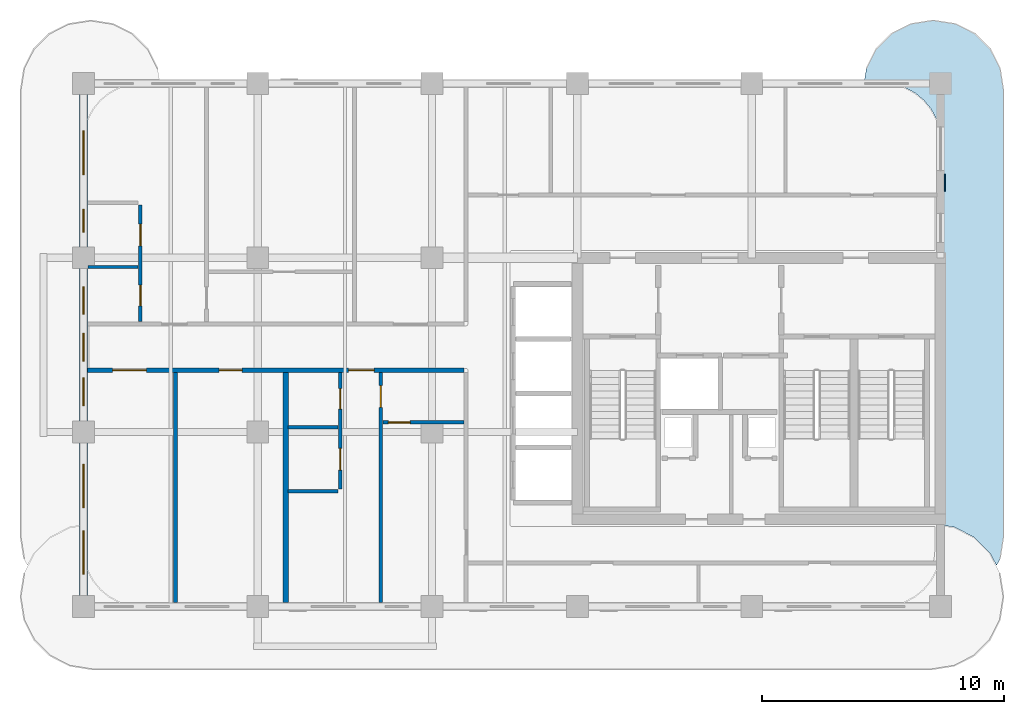
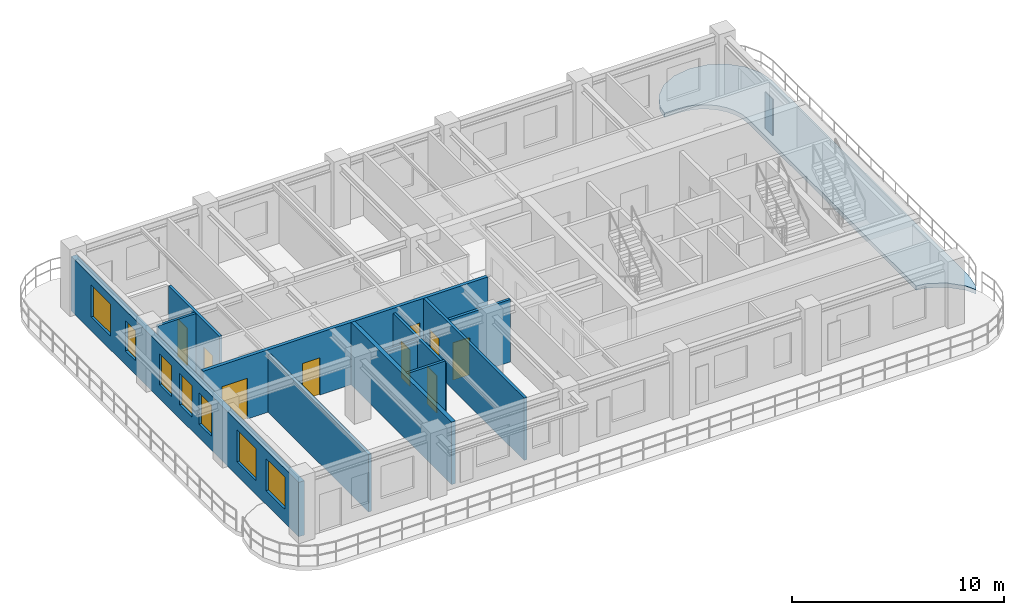
# One storey, part 2 of 8: 11 walls, 9 doors, 7 windows, 1 plate, 1 slab, 16 openings.
"""IFC4 building model written with IfcOpenShell, lengths in metres."""

from ifc_helpers import new_model, si_unit, derived_unit, direction, frame, frame_2d, origin, origin_2d, place, context, subcontext, project, spatial, polyline, rectangle, outline, extrude, source, transform, mapped, material, layer, layer_set, type_object, type_shapes, element, fill, save


model = new_model("IFC4")

# Units and contexts
model_context = context("Model", 3, precision=1e-05, world=origin(), true_north=direction((0.0, 1.0)))
body_context = subcontext(model_context, "Body", "Model", "MODEL_VIEW")
ifc_project = project(units=[si_unit("LENGTHUNIT", "METRE"), si_unit("AREAUNIT", "SQUARE_METRE"), si_unit("VOLUMEUNIT", "CUBIC_METRE"), si_unit("PLANEANGLEUNIT", "RADIAN"), si_unit("MASSUNIT", "GRAM", prefix="KILO"), si_unit("THERMODYNAMICTEMPERATUREUNIT", "KELVIN"), si_unit("POWERUNIT", "WATT"), derived_unit("THERMALTRANSMITTANCEUNIT", [(si_unit("POWERUNIT", "WATT"), 1), (si_unit("AREAUNIT", "SQUARE_METRE"), -1), (si_unit("THERMODYNAMICTEMPERATUREUNIT", "KELVIN"), -1)])], contexts=[model_context])

# Site, building, storey
site_placement = place(None, origin())
site = spatial("IfcSite", under=ifc_project, at=site_placement, CompositionType="ELEMENT")
building_placement = place(site_placement, origin())
building = spatial("IfcBuilding", under=site, at=building_placement, Name="Zahravan Archway Hotel and Residences", CompositionType="ELEMENT")
storey_placement = place(building_placement, frame((0.0, 0.0, 225.0)))
storey = spatial("IfcBuildingStorey", under=building, at=storey_placement, Name="L56", CompositionType="ELEMENT", Elevation=225.0)

# Slab
ifc_material_1 = material(Name="Concrete C45/55", Category="concrete")
ifc_layer_1 = layer(ifc_material_1, 0.25, Name="Concrete C45/55", Category="concrete")
ifc_layer_set_1 = layer_set([ifc_layer_1], Name="Concrete C45/55")
slab_type = type_object("IfcSlabType", Name="SLB-BALC-250", PredefinedType="FLOOR", material=ifc_layer_set_1)
slab_placement = place(storey_placement, frame((0.0, 0.0, -0.25)))
element("IfcSlab", 1, at=slab_placement, inside=storey, type_object=slab_type, Name="L56 Wing A East Rounded Balcony Band", PredefinedType="FLOOR", context=body_context, shape_type="SweptSolid", body=[
    extrude(outline(polyline([(46.739501953125, 22.230712890625), (47.144287109375, 23.025146484375), (47.77490234375, 23.65576171875), (48.5693359375, 24.060546875), (49.449951171875, 24.199951171875), (49.550048828125, 24.199951171875), (50.4306640625, 24.060546875), (51.22509765625, 23.65576171875), (51.855712890625, 23.025146484375), (52.260498046875, 22.230712890625), (52.39990234375, 21.35009765625), (52.39990234375, 2.85009765625), (52.260498046875, 1.96923828125), (52.114501953125, 1.6826171875), (51.8544921875, 2.193115234375), (51.853515625, 2.19482421875), (51.85205078125, 2.196533203125), (51.8505859375, 2.197998046875), (51.197998046875, 2.8505859375), (51.196533203125, 2.85205078125), (51.19482421875, 2.853515625), (51.193115234375, 2.8544921875), (50.37060546875, 3.2734375), (50.368896484375, 3.2744140625), (50.36669921875, 3.27490234375), (50.36474609375, 3.275390625), (49.822998046875, 3.361083984375), (49.8212890625, 3.361328125), (49.820068359375, 3.361328125), (49.820068359375, 19.199951171875), (49.81982421875, 19.201904296875), (49.773681640625, 19.670166015625), (49.7734375, 19.672119140625), (49.77294921875, 19.674072265625), (49.636474609375, 20.124267578125), (49.6357421875, 20.126220703125), (49.635009765625, 20.127685546875), (49.4130859375, 20.542724609375), (49.412109375, 20.54443359375), (49.410888671875, 20.546142578125), (49.112548828125, 20.909912109375), (49.111083984375, 20.9111328125), (49.10986328125, 20.91259765625), (48.74609375, 21.2109375), (48.744384765625, 21.212158203125), (48.742919921875, 21.213134765625), (48.327880859375, 21.434814453125), (48.326171875, 21.435791015625), (48.32421875, 21.436279296875), (47.8740234375, 21.572998046875), (47.8720703125, 21.573486328125), (47.8701171875, 21.57373046875), (47.402099609375, 21.619873046875), (47.39990234375, 21.6201171875), (46.642822265625, 21.6201171875), (46.739501953125, 22.230712890625)])), origin(), (0.0, 0.0, 1.0), 0.25),
])

# Plate
ifc_material_2 = material(Name="Perforated Cast Bronze Jali Lattice")
ifc_layer_2 = layer(ifc_material_2, 0.044921875, Name="Perforated Cast Bronze Jali Lattice")
ifc_layer_set_2 = layer_set([ifc_layer_2], Name="Perforated Cast Bronze Jali Lattice")
plate_type = type_object("IfcPlateType", Name="PLT-JALI-BAY", PredefinedType="USERDEFINED", material=ifc_layer_set_2)
shared_shape_1 = source(origin(), body_context, "Body", "SweptSolid", [
    extrude(rectangle(XDim=0.699951171875, YDim=0.044921875, at=origin_2d()), origin(), (0.0, 0.0, 1.0), 2.10009765625),
])
type_shapes(plate_type, [shared_shape_1])
plate_placement = place(storey_placement, frame((49.97802734375, 17.509033203125, 0.25), z_axis=(0.0, 0.0, 1.0), x_axis=(0.0, 1.0, 0.0)))
element("IfcPlate", 2, at=plate_placement, inside=storey, type_object=plate_type, Name="L56 Perforated Bronze Jali Pier Screen 05", ObjectType="SCREEN", PredefinedType="USERDEFINED", context=body_context, shape_type="MappedRepresentation", body=[
    mapped(shared_shape_1, transform((0.0, 0.0, 0.0), scale=1.0)),
])

# Wall, openings, windows
ifc_material_3 = material(Name="Agra Buff Sandstone & Insulated Backup", Category="masonry")
ifc_layer_3 = layer(ifc_material_3, 0.320068359375, Name="Agra Buff Sandstone & Insulated Backup", Category="masonry")
ifc_layer_set_3 = layer_set([ifc_layer_3], Name="Agra Buff Sandstone & Insulated Backup")
wall_type_1 = type_object("IfcWallType", Name="EW-SAND-320", PredefinedType="SOLIDWALL", material=ifc_layer_set_3)
wall_1_placement = place(storey_placement, frame((14.39990234375, 0.050048828125, 0.0), z_axis=(0.0, 0.0, 1.0), x_axis=(0.0, 1.0, 0.0)))
wall_1 = element("IfcWall", 3, at=wall_1_placement, inside=storey, type_object=wall_type_1, Name="L56 Exterior Sandstone Wall WA-W", PredefinedType="SOLIDWALL", context=body_context, shape_type="SweptSolid", body=[
    extrude(rectangle(XDim=21.5, YDim=0.320068359375, at=frame_2d((10.75, 0.0))), origin(), (0.0, 0.0, 1.0), 3.135009765625),
])
opening_1_placement = place(wall_1_placement, frame((1.27490234375, 0.0, 0.800048828125)))
opening_1 = element("IfcOpeningElement", 4, at=opening_1_placement, cuts=wall_1, Name="Opening W-02", PredefinedType="OPENING", context=body_context, shape_type="SweptSolid", body=[
    extrude(rectangle(XDim=1.800048828125, YDim=1.85009765625, at=frame_2d((0.89990234375, 0.925048828125))), frame((0.0, 0.169921875, 0.0), z_axis=(0.0, -1.0, 0.0), x_axis=(1.0, 0.0, 0.0)), (0.0, 0.0, 1.0), 0.340087890625),
])
opening_2_placement = place(wall_1_placement, frame((4.02490234375, 0.0, 0.800048828125)))
opening_2 = element("IfcOpeningElement", 5, at=opening_2_placement, cuts=wall_1, Name="Opening W-02", PredefinedType="OPENING", context=body_context, shape_type="SweptSolid", body=[
    extrude(rectangle(XDim=1.800048828125, YDim=1.85009765625, at=frame_2d((0.89990234375, 0.925048828125))), frame((0.0, 0.169921875, 0.0), z_axis=(0.0, -1.0, 0.0), x_axis=(1.0, 0.0, 0.0)), (0.0, 0.0, 1.0), 0.340087890625),
])
opening_3_placement = place(wall_1_placement, frame((8.24609375, 0.0, 0.800048828125)))
opening_3 = element("IfcOpeningElement", 6, at=opening_3_placement, cuts=wall_1, Name="Opening W-05", PredefinedType="OPENING", context=body_context, shape_type="SweptSolid", body=[
    extrude(rectangle(XDim=1.14990234375, YDim=1.800048828125, at=frame_2d((0.574951171875, 0.89990234375))), frame((0.0, 0.169921875, 0.0), z_axis=(0.0, -1.0, 0.0), x_axis=(1.0, 0.0, 0.0)), (0.0, 0.0, 1.0), 0.340087890625),
])
opening_4_placement = place(wall_1_placement, frame((10.0849609375, 0.0, 0.800048828125)))
opening_4 = element("IfcOpeningElement", 7, at=opening_4_placement, cuts=wall_1, Name="Opening W-05", PredefinedType="OPENING", context=body_context, shape_type="SweptSolid", body=[
    extrude(rectangle(XDim=1.14990234375, YDim=1.800048828125, at=frame_2d((0.574951171875, 0.89990234375))), frame((0.0, 0.169921875, 0.0), z_axis=(0.0, -1.0, 0.0), x_axis=(1.0, 0.0, 0.0)), (0.0, 0.0, 1.0), 0.340087890625),
])
opening_5_placement = place(wall_1_placement, frame((12.013916015625, 0.0, 0.800048828125)))
opening_5 = element("IfcOpeningElement", 8, at=opening_5_placement, cuts=wall_1, Name="Opening W-05", PredefinedType="OPENING", context=body_context, shape_type="SweptSolid", body=[
    extrude(rectangle(XDim=1.14990234375, YDim=1.800048828125, at=frame_2d((0.574951171875, 0.89990234375))), frame((0.0, 0.169921875, 0.0), z_axis=(0.0, -1.0, 0.0), x_axis=(1.0, 0.0, 0.0)), (0.0, 0.0, 1.0), 0.340087890625),
])
opening_6_placement = place(wall_1_placement, frame((15.406005859375, 0.0, 0.800048828125)))
opening_6 = element("IfcOpeningElement", 9, at=opening_6_placement, cuts=wall_1, Name="Opening W-04", PredefinedType="OPENING", context=body_context, shape_type="SweptSolid", body=[
    extrude(rectangle(XDim=0.949951171875, YDim=1.75, at=frame_2d((0.47509765625, 0.875))), frame((0.0, 0.169921875, 0.0), z_axis=(0.0, -1.0, 0.0), x_axis=(1.0, 0.0, 0.0)), (0.0, 0.0, 1.0), 0.340087890625),
])
opening_7_placement = place(wall_1_placement, frame((17.7890625, 0.0, 0.800048828125)))
opening_7 = element("IfcOpeningElement", 10, at=opening_7_placement, cuts=wall_1, Name="Opening W-02", PredefinedType="OPENING", context=body_context, shape_type="SweptSolid", body=[
    extrude(rectangle(XDim=1.800048828125, YDim=1.85009765625, at=frame_2d((0.89990234375, 0.925048828125))), frame((0.0, 0.169921875, 0.0), z_axis=(0.0, -1.0, 0.0), x_axis=(1.0, 0.0, 0.0)), (0.0, 0.0, 1.0), 0.340087890625),
])
ifc_material_4 = material(Name="Bronze-Anodized Thermal-Break Aluminium & Low-E Glass", Category="aluminium")
window_type_1 = type_object("IfcWindowType", Name="WIN-NAR-950", PartitioningType="SINGLE_PANEL", PredefinedType="WINDOW", material=ifc_material_4)
shared_shape_2 = source(origin(), body_context, "Body", "SweptSolid", [
    extrude(rectangle(XDim=0.949951171875, YDim=1.75, at=frame_2d((0.47509765625, 0.875))), frame((0.0, 0.030029296875, 0.0), z_axis=(0.0, -1.0, 0.0), x_axis=(1.0, 0.0, 0.0)), (0.0, 0.0, 1.0), 0.06005859375),
])
type_shapes(window_type_1, [shared_shape_2])
window_1_placement = place(opening_6_placement, origin())
window_1 = element("IfcWindow", 11, at=window_1_placement, inside=storey, type_object=window_type_1, Name="L56 Loggia Window 25", OverallHeight=1.75, OverallWidth=0.949951171875, PartitioningType="SINGLE_PANEL", PredefinedType="WINDOW", context=body_context, shape_type="MappedRepresentation", body=[
    mapped(shared_shape_2, transform((0.0, 0.0, 0.0), scale=1.0)),
])
fill(opening_6, window_1)
window_type_2 = type_object("IfcWindowType", Name="WIN-TWR-1800", PartitioningType="DOUBLE_PANEL_VERTICAL", PredefinedType="WINDOW", material=ifc_material_4)
shared_shape_3 = source(origin(), body_context, "Body", "SweptSolid", [
    extrude(rectangle(XDim=1.800048828125, YDim=1.85009765625, at=frame_2d((0.89990234375, 0.925048828125))), frame((0.0, 0.030029296875, 0.0), z_axis=(0.0, -1.0, 0.0), x_axis=(1.0, 0.0, 0.0)), (0.0, 0.0, 1.0), 0.06005859375),
])
type_shapes(window_type_2, [shared_shape_3])
window_2_placement = place(opening_1_placement, origin())
window_2 = element("IfcWindow", 12, at=window_2_placement, inside=storey, type_object=window_type_2, Name="L56 Loggia Window 20", OverallHeight=1.85009765625, OverallWidth=1.800048828125, PartitioningType="DOUBLE_PANEL_VERTICAL", PredefinedType="WINDOW", context=body_context, shape_type="MappedRepresentation", body=[
    mapped(shared_shape_3, transform((0.0, 0.0, 0.0), scale=1.0)),
])
fill(opening_1, window_2)
window_3_placement = place(opening_2_placement, origin())
window_3 = element("IfcWindow", 13, at=window_3_placement, inside=storey, type_object=window_type_2, Name="L56 Loggia Window 21", OverallHeight=1.85009765625, OverallWidth=1.800048828125, PartitioningType="DOUBLE_PANEL_VERTICAL", PredefinedType="WINDOW", context=body_context, shape_type="MappedRepresentation", body=[
    mapped(shared_shape_3, transform((0.0, 0.0, 0.0), scale=1.0)),
])
fill(opening_2, window_3)
window_4_placement = place(opening_7_placement, origin())
window_4 = element("IfcWindow", 14, at=window_4_placement, inside=storey, type_object=window_type_2, Name="L56 Loggia Window 26", OverallHeight=1.85009765625, OverallWidth=1.800048828125, PartitioningType="DOUBLE_PANEL_VERTICAL", PredefinedType="WINDOW", context=body_context, shape_type="MappedRepresentation", body=[
    mapped(shared_shape_3, transform((0.0, 0.0, 0.0), scale=1.0)),
])
fill(opening_7, window_4)
window_type_3 = type_object("IfcWindowType", Name="WIN-TWR-1150", PartitioningType="SINGLE_PANEL", PredefinedType="WINDOW", material=ifc_material_4)
shared_shape_4 = source(origin(), body_context, "Body", "SweptSolid", [
    extrude(rectangle(XDim=1.14990234375, YDim=1.800048828125, at=frame_2d((0.574951171875, 0.89990234375))), frame((0.0, 0.030029296875, 0.0), z_axis=(0.0, -1.0, 0.0), x_axis=(1.0, 0.0, 0.0)), (0.0, 0.0, 1.0), 0.06005859375),
])
type_shapes(window_type_3, [shared_shape_4])
window_5_placement = place(opening_3_placement, origin())
window_5 = element("IfcWindow", 15, at=window_5_placement, inside=storey, type_object=window_type_3, Name="L56 Loggia Window 22", OverallHeight=1.800048828125, OverallWidth=1.14990234375, PartitioningType="SINGLE_PANEL", PredefinedType="WINDOW", context=body_context, shape_type="MappedRepresentation", body=[
    mapped(shared_shape_4, transform((0.0, 0.0, 0.0), scale=1.0)),
])
fill(opening_3, window_5)
window_6_placement = place(opening_4_placement, origin())
window_6 = element("IfcWindow", 16, at=window_6_placement, inside=storey, type_object=window_type_3, Name="L56 Loggia Window 23", OverallHeight=1.800048828125, OverallWidth=1.14990234375, PartitioningType="SINGLE_PANEL", PredefinedType="WINDOW", context=body_context, shape_type="MappedRepresentation", body=[
    mapped(shared_shape_4, transform((0.0, 0.0, 0.0), scale=1.0)),
])
fill(opening_4, window_6)
window_7_placement = place(opening_5_placement, origin())
window_7 = element("IfcWindow", 17, at=window_7_placement, inside=storey, type_object=window_type_3, Name="L56 Loggia Window 24", OverallHeight=1.800048828125, OverallWidth=1.14990234375, PartitioningType="SINGLE_PANEL", PredefinedType="WINDOW", context=body_context, shape_type="MappedRepresentation", body=[
    mapped(shared_shape_4, transform((0.0, 0.0, 0.0), scale=1.0)),
])
fill(opening_5, window_7)

# Wall
ifc_material_5 = material(Name="Fire-Rated Gypsum & Concrete Block", Category="concrete")
ifc_layer_4 = layer(ifc_material_5, 0.219970703125, Name="Fire-Rated Gypsum & Concrete Block", Category="concrete")
ifc_layer_set_4 = layer_set([ifc_layer_4], Name="Fire-Rated Gypsum & Concrete Block")
wall_type_2 = type_object("IfcWallType", Name="PW-COMP-220", PredefinedType="PARTITIONING", material=ifc_layer_set_4)
wall_2_placement = place(storey_placement, frame((22.75, 0.16796875, 0.0), z_axis=(0.0, 0.0, 1.0), x_axis=(0.0, 1.0, 0.0)))
element("IfcWall", 18, at=wall_2_placement, inside=storey, type_object=wall_type_2, Name="L56 Partition WAS-R2B", PredefinedType="PARTITIONING", context=body_context, shape_type="SweptSolid", body=[
    extrude(rectangle(XDim=9.491943359375, YDim=0.219970703125, at=frame_2d((4.74609375, 0.0))), origin(), (0.0, 0.0, 1.0), 3.60009765625),
])

# Wall, openings, doors
ifc_layer_5 = layer(ifc_material_5, 0.179931640625, Name="Fire-Rated Gypsum & Concrete Block", Category="concrete")
ifc_layer_set_5 = layer_set([ifc_layer_5], Name="Fire-Rated Gypsum & Concrete Block")
wall_type_3 = type_object("IfcWallType", Name="PW-CORR-180", PredefinedType="PARTITIONING", material=ifc_layer_set_5)
wall_3_placement = place(storey_placement, frame((14.568115234375, 9.75, 0.0), z_axis=(0.0, 0.0, 1.0), x_axis=(1.0, 0.0, 0.0)))
wall_3 = element("IfcWall", 19, at=wall_3_placement, inside=storey, type_object=wall_type_3, Name="L56 Partition WA-CS", PredefinedType="PARTITIONING", context=body_context, shape_type="SweptSolid", body=[
    extrude(rectangle(XDim=15.5419921875, YDim=0.179931640625, at=frame_2d((7.77099609375, 0.0))), origin(), (0.0, 0.0, 1.0), 3.60009765625),
])
opening_8_placement = place(wall_3_placement, frame((1.031982421875, 0.0, 0.0)))
opening_8 = element("IfcOpeningElement", 20, at=opening_8_placement, cuts=wall_3, Name="Opening D-P1", PredefinedType="OPENING", context=body_context, shape_type="SweptSolid", body=[
    extrude(rectangle(XDim=1.39990234375, YDim=2.35009765625, at=frame_2d((0.699951171875, 1.175048828125))), frame((0.0, 0.10009765625, 0.0), z_axis=(0.0, -1.0, 0.0), x_axis=(1.0, 0.0, 0.0)), (0.0, 0.0, 1.0), 0.199951171875),
])
opening_9_placement = place(wall_3_placement, frame((5.431884765625, 0.0, 0.0)))
opening_9 = element("IfcOpeningElement", 21, at=opening_9_placement, cuts=wall_3, Name="Opening D-I1", PredefinedType="OPENING", context=body_context, shape_type="SweptSolid", body=[
    extrude(rectangle(XDim=0.949951171875, YDim=2.14990234375, at=frame_2d((0.47509765625, 1.074951171875))), frame((0.0, 0.10009765625, 0.0), z_axis=(0.0, -1.0, 0.0), x_axis=(1.0, 0.0, 0.0)), (0.0, 0.0, 1.0), 0.199951171875),
])
opening_10_placement = place(wall_3_placement, frame((10.787109375, 0.0, 0.0)))
opening_10 = element("IfcOpeningElement", 22, at=opening_10_placement, cuts=wall_3, Name="Opening D-U1", PredefinedType="OPENING", context=body_context, shape_type="SweptSolid", body=[
    extrude(rectangle(XDim=1.050048828125, YDim=2.25, at=frame_2d((0.52490234375, 1.125))), frame((0.0, 0.10009765625, 0.0), z_axis=(0.0, -1.0, 0.0), x_axis=(1.0, 0.0, 0.0)), (0.0, 0.0, 1.0), 0.199951171875),
])
ifc_material_6 = material(Name="Bronze-Anodized Glazed Aluminium", Category="aluminium")
door_type_1 = type_object("IfcDoorType", Name="ID-PUBLIC-1400", OperationType="DOUBLE_DOOR_SINGLE_SWING", PredefinedType="DOOR", material=ifc_material_6)
shared_shape_5 = source(origin(), body_context, "Body", "SweptSolid", [
    extrude(rectangle(XDim=1.39990234375, YDim=2.35009765625, at=frame_2d((0.699951171875, 1.175048828125))), frame((0.0, 0.02490234375, 0.0), z_axis=(0.0, -1.0, 0.0), x_axis=(1.0, 0.0, 0.0)), (0.0, 0.0, 1.0), 0.050048828125),
])
type_shapes(door_type_1, [shared_shape_5])
door_1_placement = place(opening_8_placement, origin())
door_1 = element("IfcDoor", 23, at=door_1_placement, inside=storey, type_object=door_type_1, Name="L56 Cinema Salon Door", OperationType="DOUBLE_DOOR_SINGLE_SWING", OverallHeight=2.35009765625, OverallWidth=1.39990234375, PredefinedType="DOOR", context=body_context, shape_type="MappedRepresentation", body=[
    mapped(shared_shape_5, transform((0.0, 0.0, 0.0), scale=1.0)),
])
fill(opening_8, door_1)
ifc_material_7 = material(Name="Hardwood Veneer Timber", Category="wood")
door_type_2 = type_object("IfcDoorType", Name="ID-INT-950", OperationType="NOTDEFINED", PredefinedType="DOOR", material=ifc_material_7)
shared_shape_6 = source(origin(), body_context, "Body", "SweptSolid", [
    extrude(rectangle(XDim=0.949951171875, YDim=2.14990234375, at=frame_2d((0.47509765625, 1.074951171875))), frame((0.0, 0.02490234375, 0.0), z_axis=(0.0, -1.0, 0.0), x_axis=(1.0, 0.0, 0.0)), (0.0, 0.0, 1.0), 0.050048828125),
])
type_shapes(door_type_2, [shared_shape_6])
door_2_placement = place(opening_9_placement, origin())
door_2 = element("IfcDoor", 24, at=door_2_placement, inside=storey, type_object=door_type_2, Name="L56 Study Office Door", OperationType="SINGLE_SWING_LEFT", OverallHeight=2.14990234375, OverallWidth=0.949951171875, PredefinedType="DOOR", context=body_context, shape_type="MappedRepresentation", body=[
    mapped(shared_shape_6, transform((0.0, 0.0, 0.0), scale=1.0)),
])
fill(opening_9, door_2)
door_type_3 = type_object("IfcDoorType", Name="ID-UNIT-1050", OperationType="NOTDEFINED", PredefinedType="DOOR", material=ifc_material_7)
shared_shape_7 = source(origin(), body_context, "Body", "SweptSolid", [
    extrude(rectangle(XDim=1.050048828125, YDim=2.25, at=frame_2d((0.52490234375, 1.125))), frame((0.0, 0.02490234375, 0.0), z_axis=(0.0, -1.0, 0.0), x_axis=(1.0, 0.0, 0.0)), (0.0, 0.0, 1.0), 0.050048828125),
])
type_shapes(door_type_3, [shared_shape_7])
door_3_placement = place(opening_10_placement, origin())
door_3 = element("IfcDoor", 25, at=door_3_placement, inside=storey, type_object=door_type_3, Name="L56 Flat S1 Entrance Door", OperationType="SINGLE_SWING_RIGHT", OverallHeight=2.25, OverallWidth=1.050048828125, PredefinedType="DOOR", context=body_context, shape_type="MappedRepresentation", body=[
    mapped(shared_shape_7, transform((0.0, 0.0, 0.0), scale=1.0)),
])
fill(opening_10, door_3)

# Wall, opening, door
ifc_material_8 = material(Name="Acoustic Stud Partition")
ifc_layer_6 = layer(ifc_material_8, 0.14990234375, Name="Acoustic Stud Partition")
ifc_layer_set_6 = layer_set([ifc_layer_6], Name="Acoustic Stud Partition")
wall_type_4 = type_object("IfcWallType", Name="PW-UNIT-150", PredefinedType="PARTITIONING", material=ifc_layer_set_6)
wall_4_placement = place(storey_placement, frame((26.679931640625, 0.16796875, 0.0), z_axis=(0.0, 0.0, 1.0), x_axis=(0.0, 1.0, 0.0)))
wall_4 = element("IfcWall", 26, at=wall_4_placement, inside=storey, type_object=wall_type_4, Name="L56 Partition FL-S1-SP", PredefinedType="PARTITIONING", context=body_context, shape_type="SweptSolid", body=[
    extrude(rectangle(XDim=9.491943359375, YDim=0.14990234375, at=frame_2d((4.74609375, 0.0))), origin(), (0.0, 0.0, 1.0), 3.60009765625),
])
opening_11_placement = place(wall_4_placement, frame((8.056884765625, 0.0, 0.0)))
opening_11 = element("IfcOpeningElement", 27, at=opening_11_placement, cuts=wall_4, Name="Opening D-I2", PredefinedType="OPENING", context=body_context, shape_type="SweptSolid", body=[
    extrude(rectangle(XDim=0.89990234375, YDim=2.14990234375, at=frame_2d((0.449951171875, 1.074951171875))), frame((0.0, 0.0849609375, 0.0), z_axis=(0.0, -1.0, 0.0), x_axis=(1.0, 0.0, 0.0)), (0.0, 0.0, 1.0), 0.169921875),
])
door_type_4 = type_object("IfcDoorType", Name="ID-INT-900", OperationType="NOTDEFINED", PredefinedType="DOOR", material=ifc_material_7)
shared_shape_8 = source(origin(), body_context, "Body", "SweptSolid", [
    extrude(rectangle(XDim=0.89990234375, YDim=2.14990234375, at=frame_2d((0.449951171875, 1.074951171875))), frame((0.0, 0.02490234375, 0.0), z_axis=(0.0, -1.0, 0.0), x_axis=(1.0, 0.0, 0.0)), (0.0, 0.0, 1.0), 0.050048828125),
])
type_shapes(door_type_4, [shared_shape_8])
door_4_placement = place(opening_11_placement, origin())
door_4 = element("IfcDoor", 28, at=door_4_placement, inside=storey, type_object=door_type_4, Name="L56 Flat S1 Bedroom Hall Door", OperationType="SINGLE_SWING_LEFT", OverallHeight=2.14990234375, OverallWidth=0.89990234375, PredefinedType="DOOR", context=body_context, shape_type="MappedRepresentation", body=[
    mapped(shared_shape_8, transform((0.0, 0.0, 0.0), scale=1.0)),
])
fill(opening_11, door_4)

wall_5_placement = place(storey_placement, frame((26.77001953125, 7.60009765625, 0.0), z_axis=(0.0, 0.0, 1.0), x_axis=(1.0, 0.0, 0.0)))
wall_5 = element("IfcWall", 29, at=wall_5_placement, inside=storey, type_object=wall_type_4, Name="L56 Partition FL-S1-GH", PredefinedType="PARTITIONING", context=body_context, shape_type="SweptSolid", body=[
    extrude(rectangle(XDim=3.340087890625, YDim=0.14990234375, at=frame_2d((1.669921875, 0.0))), origin(), (0.0, 0.0, 1.0), 3.60009765625),
])
opening_12_placement = place(wall_5_placement, frame((0.22509765625, 0.0, 0.0)))
opening_12 = element("IfcOpeningElement", 30, at=opening_12_placement, cuts=wall_5, Name="Opening D-I2", PredefinedType="OPENING", context=body_context, shape_type="SweptSolid", body=[
    extrude(rectangle(XDim=0.89990234375, YDim=2.14990234375, at=frame_2d((0.449951171875, 1.074951171875))), frame((0.0, 0.0849609375, 0.0), z_axis=(0.0, -1.0, 0.0), x_axis=(1.0, 0.0, 0.0)), (0.0, 0.0, 1.0), 0.169921875),
])
door_5_placement = place(opening_12_placement, origin())
door_5 = element("IfcDoor", 31, at=door_5_placement, inside=storey, type_object=door_type_4, Name="L56 Flat S1 Bedroom 1 Door", OperationType="SINGLE_SWING_LEFT", OverallHeight=2.14990234375, OverallWidth=0.89990234375, PredefinedType="DOOR", context=body_context, shape_type="MappedRepresentation", body=[
    mapped(shared_shape_8, transform((0.0, 0.0, 0.0), scale=1.0)),
])
fill(opening_12, door_5)

# Wall
ifc_layer_7 = layer(ifc_material_8, 0.169921875, Name="Acoustic Stud Partition")
ifc_layer_set_7 = layer_set([ifc_layer_7], Name="Acoustic Stud Partition")
wall_type_5 = type_object("IfcWallType", Name="PW-UNIT-170", PredefinedType="PARTITIONING", material=ifc_layer_set_7)
wall_6_placement = place(storey_placement, frame((18.199951171875, 0.16796875, 0.0), z_axis=(0.0, 0.0, 1.0), x_axis=(0.0, 1.0, 0.0)))
element("IfcWall", 32, at=wall_6_placement, inside=storey, type_object=wall_type_5, Name="L56 Partition WAS-R2A", PredefinedType="PARTITIONING", context=body_context, shape_type="SweptSolid", body=[
    extrude(rectangle(XDim=9.491943359375, YDim=0.169921875, at=frame_2d((4.74609375, 0.0))), origin(), (0.0, 0.0, 1.0), 3.31494140625),
])

# Wall, openings, doors
ifc_material_9 = material(Name="Moisture-Resistant Blockwork", Category="masonry")
ifc_layer_8 = layer(ifc_material_9, 0.139892578125, Name="Moisture-Resistant Blockwork", Category="masonry")
ifc_layer_set_8 = layer_set([ifc_layer_8], Name="Moisture-Resistant Blockwork")
wall_type_6 = type_object("IfcWallType", Name="PW-WET-140", PredefinedType="PARTITIONING", material=ifc_layer_set_8)
wall_7_placement = place(storey_placement, frame((25.0, 4.840087890625, 0.0), z_axis=(0.0, 0.0, 1.0), x_axis=(0.0, 1.0, 0.0)))
wall_7 = element("IfcWall", 33, at=wall_7_placement, inside=storey, type_object=wall_type_6, Name="L56 Partition FL-S1-BV", PredefinedType="PARTITIONING", context=body_context, shape_type="SweptSolid", body=[
    extrude(rectangle(XDim=4.81982421875, YDim=0.139892578125, at=frame_2d((2.409912109375, 0.0))), origin(), (0.0, 0.0, 1.0), 3.31494140625),
])
opening_13_placement = place(wall_7_placement, frame((0.784912109375, 0.0, 0.0)))
opening_13 = element("IfcOpeningElement", 34, at=opening_13_placement, cuts=wall_7, Name="Opening D-I2", PredefinedType="OPENING", context=body_context, shape_type="SweptSolid", body=[
    extrude(rectangle(XDim=0.89990234375, YDim=2.14990234375, at=frame_2d((0.449951171875, 1.074951171875))), frame((0.0, 0.080078125, 0.0), z_axis=(0.0, -1.0, 0.0), x_axis=(1.0, 0.0, 0.0)), (0.0, 0.0, 1.0), 0.159912109375),
])
opening_14_placement = place(wall_7_placement, frame((3.31005859375, 0.0, 0.0)))
opening_14 = element("IfcOpeningElement", 35, at=opening_14_placement, cuts=wall_7, Name="Opening D-B1", PredefinedType="OPENING", context=body_context, shape_type="SweptSolid", body=[
    extrude(rectangle(XDim=0.85009765625, YDim=2.10009765625, at=frame_2d((0.425048828125, 1.050048828125))), frame((0.0, 0.080078125, 0.0), z_axis=(0.0, -1.0, 0.0), x_axis=(1.0, 0.0, 0.0)), (0.0, 0.0, 1.0), 0.159912109375),
])
door_type_5 = type_object("IfcDoorType", Name="ID-BATH-850", OperationType="NOTDEFINED", PredefinedType="DOOR", material=ifc_material_7)
shared_shape_9 = source(origin(), body_context, "Body", "SweptSolid", [
    extrude(rectangle(XDim=0.85009765625, YDim=2.10009765625, at=frame_2d((0.425048828125, 1.050048828125))), frame((0.0, 0.02490234375, 0.0), z_axis=(0.0, -1.0, 0.0), x_axis=(1.0, 0.0, 0.0)), (0.0, 0.0, 1.0), 0.050048828125),
])
type_shapes(door_type_5, [shared_shape_9])
door_6_placement = place(opening_14_placement, origin())
door_6 = element("IfcDoor", 36, at=door_6_placement, inside=storey, type_object=door_type_5, Name="L56 Flat S1 Bathroom Door", OperationType="SINGLE_SWING_LEFT", OverallHeight=2.10009765625, OverallWidth=0.85009765625, PredefinedType="DOOR", context=body_context, shape_type="MappedRepresentation", body=[
    mapped(shared_shape_9, transform((0.0, 0.0, 0.0), scale=1.0)),
])
fill(opening_14, door_6)
door_7_placement = place(opening_13_placement, origin())
door_7 = element("IfcDoor", 37, at=door_7_placement, inside=storey, type_object=door_type_4, Name="L56 Flat S1 Kitchen Door", OperationType="SINGLE_SWING_RIGHT", OverallHeight=2.14990234375, OverallWidth=0.89990234375, PredefinedType="DOOR", context=body_context, shape_type="MappedRepresentation", body=[
    mapped(shared_shape_8, transform((0.0, 0.0, 0.0), scale=1.0)),
])
fill(opening_13, door_7)

# Walls
wall_8_placement = place(storey_placement, frame((22.840087890625, 7.39990234375, 0.0), z_axis=(0.0, 0.0, 1.0), x_axis=(1.0, 0.0, 0.0)))
element("IfcWall", 38, at=wall_8_placement, inside=storey, type_object=wall_type_6, Name="L56 Partition FL-S1-BM", PredefinedType="PARTITIONING", context=body_context, shape_type="SweptSolid", body=[
    extrude(rectangle(XDim=2.06982421875, YDim=0.139892578125, at=frame_2d((1.034912109375, 0.0))), origin(), (0.0, 0.0, 1.0), 3.135009765625),
])
wall_9_placement = place(storey_placement, frame((22.840087890625, 4.75, 0.0), z_axis=(0.0, 0.0, 1.0), x_axis=(1.0, 0.0, 0.0)))
element("IfcWall", 39, at=wall_9_placement, inside=storey, type_object=wall_type_6, Name="L56 Partition FL-S1-KH", PredefinedType="PARTITIONING", context=body_context, shape_type="SweptSolid", body=[
    extrude(rectangle(XDim=2.06982421875, YDim=0.139892578125, at=frame_2d((1.034912109375, 0.0))), origin(), (0.0, 0.0, 1.0), 3.60009765625),
])

# Wall, openings, doors
wall_10_placement = place(storey_placement, frame((16.75, 11.760009765625, 0.0), z_axis=(0.0, 0.0, 1.0), x_axis=(0.0, 1.0, 0.0)))
wall_10 = element("IfcWall", 40, at=wall_10_placement, inside=storey, type_object=wall_type_6, Name="L56 Partition FL-N1-BV", PredefinedType="PARTITIONING", context=body_context, shape_type="SweptSolid", body=[
    extrude(rectangle(XDim=4.820068359375, YDim=0.139892578125, at=frame_2d((2.41015625, 0.0))), origin(), (0.0, 0.0, 1.0), 3.60009765625),
])
opening_15_placement = place(wall_10_placement, frame((0.659912109375, 0.0, 0.0)))
opening_15 = element("IfcOpeningElement", 41, at=opening_15_placement, cuts=wall_10, Name="Opening D-B1", PredefinedType="OPENING", context=body_context, shape_type="SweptSolid", body=[
    extrude(rectangle(XDim=0.85009765625, YDim=2.10009765625, at=frame_2d((0.425048828125, 1.050048828125))), frame((0.0, 0.080078125, 0.0), z_axis=(0.0, -1.0, 0.0), x_axis=(1.0, 0.0, 0.0)), (0.0, 0.0, 1.0), 0.159912109375),
])
opening_16_placement = place(wall_10_placement, frame((3.135009765625, 0.0, 0.0)))
opening_16 = element("IfcOpeningElement", 42, at=opening_16_placement, cuts=wall_10, Name="Opening D-I2", PredefinedType="OPENING", context=body_context, shape_type="SweptSolid", body=[
    extrude(rectangle(XDim=0.89990234375, YDim=2.14990234375, at=frame_2d((0.449951171875, 1.074951171875))), frame((0.0, 0.080078125, 0.0), z_axis=(0.0, -1.0, 0.0), x_axis=(1.0, 0.0, 0.0)), (0.0, 0.0, 1.0), 0.159912109375),
])
door_8_placement = place(opening_15_placement, origin())
door_8 = element("IfcDoor", 43, at=door_8_placement, inside=storey, type_object=door_type_5, Name="L56 Flat N1 Bathroom Door", OperationType="SINGLE_SWING_LEFT", OverallHeight=2.10009765625, OverallWidth=0.85009765625, PredefinedType="DOOR", context=body_context, shape_type="MappedRepresentation", body=[
    mapped(shared_shape_9, transform((0.0, 0.0, 0.0), scale=1.0)),
])
fill(opening_15, door_8)
door_9_placement = place(opening_16_placement, origin())
door_9 = element("IfcDoor", 44, at=door_9_placement, inside=storey, type_object=door_type_4, Name="L56 Flat N1 Kitchen Door", OperationType="SINGLE_SWING_RIGHT", OverallHeight=2.14990234375, OverallWidth=0.89990234375, PredefinedType="DOOR", context=body_context, shape_type="MappedRepresentation", body=[
    mapped(shared_shape_8, transform((0.0, 0.0, 0.0), scale=1.0)),
])
fill(opening_16, door_9)

# Wall
wall_11_placement = place(storey_placement, frame((14.590087890625, 14.02001953125, 0.0), z_axis=(0.0, 0.0, 1.0), x_axis=(1.0, 0.0, 0.0)))
element("IfcWall", 45, at=wall_11_placement, inside=storey, type_object=wall_type_6, Name="L56 Partition FL-N1-BM", PredefinedType="PARTITIONING", context=body_context, shape_type="SweptSolid", body=[
    extrude(rectangle(XDim=2.06982421875, YDim=0.139892578125, at=frame_2d((1.034912109375, 0.0))), origin(), (0.0, 0.0, 1.0), 3.60009765625),
])

save(model, "model.ifc")
